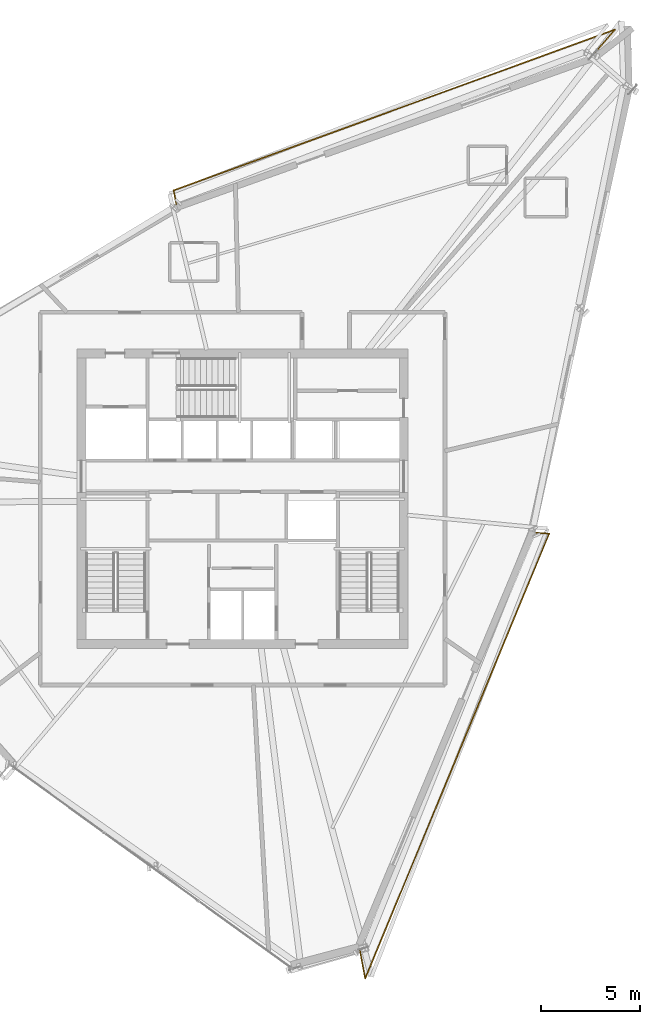
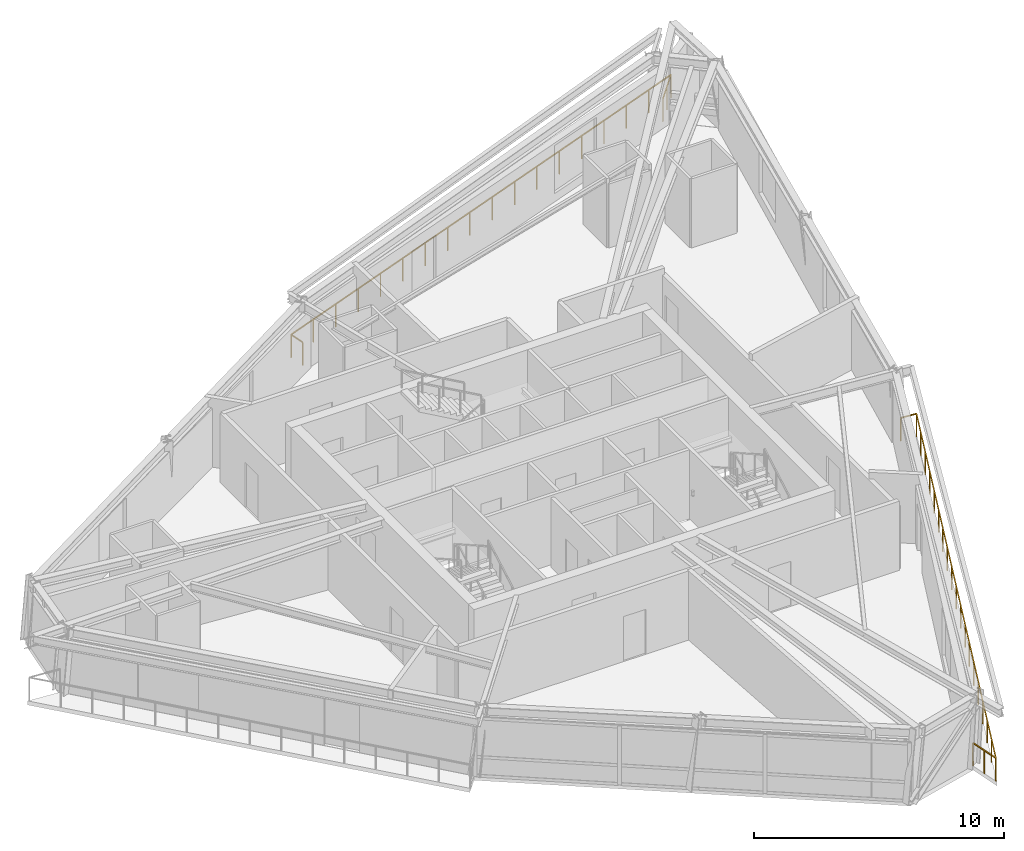
# One storey, part 14 of 14: 2 railings.
"""IFC4 building model written with IfcOpenShell, lengths in metres."""

import ifcopenshell
import ifcopenshell.guid

model = None  # the IFC model being written
_history = None  # IfcOwnerHistory: only IFC2X3 demands one
_inside = {}  # id of a spatial element -> (the spatial element, [elements in it])
_under = {}  # id of a project, library or spatial element -> (it, [spatial elements below it])
_declared = {}  # id of a project -> (the project, [libraries it declares])
_typed = {}  # id of a type object -> (the type object, [elements of that type])
_made_of = {}  # id of a material, layer set ... -> (it, [elements and type objects made of it])


def new_model(schema):
    """Start an empty IFC model of exactly this schema.

    Asked for "IFC4X3", IfcOpenShell would pick the latest addendum, in which some entities
    have other attributes; the version numbers below select the first issue.
    IFC2X3 requires an IfcOwnerHistory on every rooted entity: one is made here for all.
    """
    global model, _history
    if schema == "IFC4X3":
        model = ifcopenshell.file(schema_version=(4, 3, 0, 0))
    else:
        model = ifcopenshell.file(schema=schema)
    _inside.clear()
    _under.clear()
    _declared.clear()
    _typed.clear()
    _made_of.clear()
    _history = None
    if model.schema == "IFC2X3":
        org = make("IfcOrganization", Name="unknown")
        user = make(
            "IfcPersonAndOrganization",
            ThePerson=make("IfcPerson", FamilyName="unknown"),
            TheOrganization=org,
        )
        app = make(
            "IfcApplication",
            ApplicationDeveloper=org,
            Version="unknown",
            ApplicationFullName="unknown",
            ApplicationIdentifier="unknown",
        )
        _history = make(
            "IfcOwnerHistory",
            OwningUser=user,
            OwningApplication=app,
            ChangeAction="ADDED",
            CreationDate=0,
        )
    return model


def make(cls, **values):
    """One entity of the class cls with the attributes given. An attribute that is None is left unset."""
    return model.create_entity(
        cls, **{name: value for name, value in values.items() if value is not None}
    )


def rooted(cls, **values):
    """An entity with a GlobalId (a new one), such as an element, a storey or a relation."""
    return make(cls, GlobalId=ifcopenshell.guid.new(), OwnerHistory=_history, **values)


def si_unit(unit_type, name, prefix=None):
    """IfcSIUnit, for example si_unit("LENGTHUNIT", "METRE", prefix="MILLI")."""
    return make("IfcSIUnit", UnitType=unit_type, Prefix=prefix, Name=name)


def assignment(units):
    """IfcUnitAssignment: the units of a project."""
    return None if units is None else make("IfcUnitAssignment", Units=units)


def point(xyz):
    """IfcCartesianPoint."""
    return None if xyz is None else make("IfcCartesianPoint", Coordinates=xyz)


def direction(xyz):
    """IfcDirection."""
    return None if xyz is None else make("IfcDirection", DirectionRatios=xyz)


def frame(location, z_axis=None, x_axis=None):
    """IfcAxis2Placement3D, a coordinate frame: its origin and axes. An axis left out is left unset."""
    return make(
        "IfcAxis2Placement3D",
        Location=point(location),
        Axis=direction(z_axis),
        RefDirection=direction(x_axis),
    )


def frame_2d(location, x_axis=None):
    """IfcAxis2Placement2D, a coordinate frame in the plane: its origin and x axis."""
    return make(
        "IfcAxis2Placement2D", Location=point(location), RefDirection=direction(x_axis)
    )


def origin():
    """The frame at (0, 0, 0) with its axes left unset."""
    return frame((0.0, 0.0, 0.0))


def origin_2d():
    """The frame at (0, 0) in the plane with its x axis left unset."""
    return frame_2d((0.0, 0.0))


def place(relative_to, where):
    """IfcLocalPlacement: puts the frame where relative to a parent placement (None: the world)."""
    return make(
        "IfcLocalPlacement", PlacementRelTo=relative_to, RelativePlacement=where
    )


def context(
    kind, dimensions, precision=None, world=None, true_north=None, identifier=None
):
    """IfcGeometricRepresentationContext, for example the 3D "Model" context."""
    return make(
        "IfcGeometricRepresentationContext",
        ContextIdentifier=identifier,
        ContextType=kind,
        CoordinateSpaceDimension=dimensions,
        Precision=precision,
        WorldCoordinateSystem=world,
        TrueNorth=true_north,
    )


def subcontext(parent, identifier, kind, view, scale=None):
    """IfcGeometricRepresentationSubContext, for example "Body" below "Model"."""
    return make(
        "IfcGeometricRepresentationSubContext",
        ContextIdentifier=identifier,
        ContextType=kind,
        ParentContext=parent,
        TargetScale=scale,
        TargetView=view,
    )


def project(units=None, contexts=None):
    """IfcProject with its units and contexts."""
    return rooted(
        "IfcProject",
        Name="project",
        RepresentationContexts=contexts,
        UnitsInContext=assignment(units),
    )


def spatial(cls, under=None, at=None, **own):
    """A site, building, storey or space (cls), placed at a placement, below another one or the project."""
    s = rooted(cls, ObjectPlacement=at, **own)
    if under is not None:
        _under.setdefault(under.id(), (under, []))[1].append(s)
    return s


def profile(cls, at=None, kind="AREA", **sizes):
    """A parametric profile (cls). Its sizes go by their IFC names, for example OverallWidth=200.0."""
    return make(cls, ProfileType=kind, Position=at, **sizes)


def rectangle(**sizes):
    """IfcRectangleProfileDef."""
    return profile("IfcRectangleProfileDef", **sizes)


def extrude(swept, where, along, depth):
    """IfcExtrudedAreaSolid: the profile swept, set in the frame where, extruded along a direction by depth."""
    return make(
        "IfcExtrudedAreaSolid",
        SweptArea=swept,
        Position=where,
        ExtrudedDirection=direction(along),
        Depth=depth,
    )


def shape(context_of_items, identifier, shape_type, items):
    """IfcShapeRepresentation: the items that make up one representation, for example the "Body"."""
    return make(
        "IfcShapeRepresentation",
        ContextOfItems=context_of_items,
        RepresentationIdentifier=identifier,
        RepresentationType=shape_type,
        Items=items,
    )


def material(Name=None, Category=None):
    """IfcMaterial."""
    return make("IfcMaterial", Name=Name, Category=Category)


def made_of(thing, what):
    """Note that an element or type object is made of a material, layer set ...; save() writes the relation."""
    if what is not None:
        _made_of.setdefault(what.id(), (what, []))[1].append(thing)
    return thing


def type_object(cls, material=None, **own):
    """A type object (cls), such as IfcWallType, which elements share."""
    return made_of(rooted(cls, **own), material)


def element(
    cls,
    number,
    at=None,
    inside=None,
    cuts=None,
    type_object=None,
    material=None,
    context=None,
    identifier="Body",
    shape_type=None,
    held_by="IfcProductDefinitionShape",
    body=None,
    shapes=None,
    **own,
):
    """One element of the class cls, such as IfcWall. Its Tag is "e" and its number.

    at: its placement. inside: the storey or other place that contains it. cuts: it is an
    opening in that element (IfcRelVoidsElement). A single representation is given by context,
    identifier, shape_type and body (its items); several are given by shapes. held_by: the class
    of the entity that holds the representations. save() writes the other relations.
    """
    e = rooted(cls, Tag="e%d" % number, ObjectPlacement=at, **own)
    if body is not None:
        shapes = [shape(context, identifier, shape_type, body)]
    if shapes is not None:
        e.Representation = make(held_by, Representations=shapes)
    if inside is not None:
        _inside.setdefault(inside.id(), (inside, []))[1].append(e)
    if cuts is not None:
        rooted(
            "IfcRelVoidsElement", RelatingBuildingElement=cuts, RelatedOpeningElement=e
        )
    if type_object is not None:
        _typed.setdefault(type_object.id(), (type_object, []))[1].append(e)
    return made_of(e, material)


def aggregate(whole, parts):
    """IfcRelAggregates: a whole, such as a stair, and the parts it consists of."""
    return rooted("IfcRelAggregates", RelatingObject=whole, RelatedObjects=parts)


def save(model, path):
    """Write the relations noted so far, then the file.

    IfcRelAggregates (storeys below a building ...), IfcRelContainedInSpatialStructure (elements
    in a storey), IfcRelDefinesByType, IfcRelAssociatesMaterial and IfcRelDeclares: one each for
    every whole, place, type object, material and project.
    """
    for whole, parts in _under.values():
        aggregate(whole, parts)
    for where, things in _inside.values():
        rooted(
            "IfcRelContainedInSpatialStructure",
            RelatedElements=things,
            RelatingStructure=where,
        )
    for kind, things in _typed.values():
        rooted("IfcRelDefinesByType", RelatedObjects=things, RelatingType=kind)
    for what, things in _made_of.values():
        rooted("IfcRelAssociatesMaterial", RelatedObjects=things, RelatingMaterial=what)
    for by, libraries in _declared.values():
        rooted("IfcRelDeclares", RelatingContext=by, RelatedDefinitions=libraries)
    model.write(path)


model = new_model("IFC4")

# Units and contexts
model_context = context("Model", 3, precision=1e-05, world=origin(), true_north=direction((0.0, 1.0)))
body_context = subcontext(model_context, "Body", "Model", "MODEL_VIEW")
ifc_project = project(units=[si_unit("LENGTHUNIT", "METRE"), si_unit("AREAUNIT", "SQUARE_METRE"), si_unit("VOLUMEUNIT", "CUBIC_METRE"), si_unit("PLANEANGLEUNIT", "RADIAN"), si_unit("MASSUNIT", "GRAM", prefix="KILO")], contexts=[model_context])

# Site, building, storey
site_placement = place(None, origin())
site = spatial("IfcSite", under=ifc_project, at=site_placement, CompositionType="ELEMENT")
building_placement = place(site_placement, origin())
building = spatial("IfcBuilding", under=site, at=building_placement, Name="Olszyna Solenne Hotel", CompositionType="ELEMENT")
storey_placement = place(building_placement, frame((0.0, 0.0, 234.5)))
storey = spatial("IfcBuildingStorey", under=building, at=storey_placement, Name="L62", CompositionType="ELEMENT", Elevation=234.5)

# Railings
ifc_material = material(Name="Anodised bronze aluminium", Category="aluminium")
railing_type = type_object("IfcRailingType", Name="GR-110", PredefinedType="BALUSTRADE", material=ifc_material)
railing_1_placement = place(storey_placement, frame((55.6669921875, 48.973876953125, 0.0)))
element("IfcRailing", 1, at=railing_1_placement, inside=storey, type_object=railing_type, Name="Loggia balcony balustrade guard GR-L62-LG1", PredefinedType="BALUSTRADE", context=body_context, shape_type="SweptSolid", body=[
    extrude(rectangle(XDim=0.048095703125, YDim=0.048095703125, at=origin_2d()), frame((0.0, 0.0, 1.1259765625), z_axis=(0.655803538847, 0.754931598514, 0.0), x_axis=(-0.754931598514, 0.655803538847, 0.0)), (0.0, 0.0, 1.0), 1.69189453125),
    extrude(rectangle(XDim=0.048095703125, YDim=0.048095703125, at=origin_2d()), frame((1.109619140625, 1.27734375, 1.1259765625), z_axis=(-0.939562357774, -0.342377826173, 0.0), x_axis=(0.342377826173, -0.939562357774, 0.0)), (0.0, 0.0, 1.0), 23.683349609375),
    extrude(rectangle(XDim=0.048095703125, YDim=0.048095703125, at=origin_2d()), frame((-21.142333984375, -6.831298828125, 1.1259765625), z_axis=(0.186574262929, -0.982440860517, 0.0), x_axis=(0.982440860517, 0.186574262929, 0.0)), (0.0, 0.0, 1.0), 0.709228515625),
    extrude(rectangle(XDim=0.0419921875, YDim=0.0419921875, at=origin_2d()), origin(), (0.0, 0.0, 1.0), 1.101806640625),
    extrude(rectangle(XDim=0.0419921875, YDim=0.0419921875, at=origin_2d()), frame((0.5546875, 0.638671875, 0.0)), (0.0, 0.0, 1.0), 1.101806640625),
    extrude(rectangle(XDim=0.0419921875, YDim=0.0419921875, at=origin_2d()), frame((1.109619140625, 1.27734375, 0.0)), (0.0, 0.0, 1.0), 1.101806640625),
    extrude(rectangle(XDim=0.0419921875, YDim=0.0419921875, at=origin_2d()), frame((-0.19921875, 0.80029296875, 0.0)), (0.0, 0.0, 1.0), 1.101806640625),
    extrude(rectangle(XDim=0.0419921875, YDim=0.0419921875, at=origin_2d()), frame((-1.50830078125, 0.323486328125, 0.0)), (0.0, 0.0, 1.0), 1.101806640625),
    extrude(rectangle(XDim=0.0419921875, YDim=0.0419921875, at=origin_2d()), frame((-2.817138671875, -0.153564453125, 0.0)), (0.0, 0.0, 1.0), 1.101806640625),
    extrude(rectangle(XDim=0.0419921875, YDim=0.0419921875, at=origin_2d()), frame((-4.126220703125, -0.630615234375, 0.0)), (0.0, 0.0, 1.0), 1.101806640625),
    extrude(rectangle(XDim=0.0419921875, YDim=0.0419921875, at=origin_2d()), frame((-5.43505859375, -1.107666015625, 0.0)), (0.0, 0.0, 1.0), 1.101806640625),
    extrude(rectangle(XDim=0.0419921875, YDim=0.0419921875, at=origin_2d()), frame((-6.743896484375, -1.58447265625, 0.0)), (0.0, 0.0, 1.0), 1.101806640625),
    extrude(rectangle(XDim=0.0419921875, YDim=0.0419921875, at=origin_2d()), frame((-8.052978515625, -2.0615234375, 0.0)), (0.0, 0.0, 1.0), 1.101806640625),
    extrude(rectangle(XDim=0.0419921875, YDim=0.0419921875, at=origin_2d()), frame((-9.36181640625, -2.53857421875, 0.0)), (0.0, 0.0, 1.0), 1.101806640625),
    extrude(rectangle(XDim=0.0419921875, YDim=0.0419921875, at=origin_2d()), frame((-10.6708984375, -3.015380859375, 0.0)), (0.0, 0.0, 1.0), 1.101806640625),
    extrude(rectangle(XDim=0.0419921875, YDim=0.0419921875, at=origin_2d()), frame((-11.979736328125, -3.492431640625, 0.0)), (0.0, 0.0, 1.0), 1.101806640625),
    extrude(rectangle(XDim=0.0419921875, YDim=0.0419921875, at=origin_2d()), frame((-13.288818359375, -3.969482421875, 0.0)), (0.0, 0.0, 1.0), 1.101806640625),
    extrude(rectangle(XDim=0.0419921875, YDim=0.0419921875, at=origin_2d()), frame((-14.59765625, -4.4462890625, 0.0)), (0.0, 0.0, 1.0), 1.101806640625),
    extrude(rectangle(XDim=0.0419921875, YDim=0.0419921875, at=origin_2d()), frame((-15.906494140625, -4.92333984375, 0.0)), (0.0, 0.0, 1.0), 1.101806640625),
    extrude(rectangle(XDim=0.0419921875, YDim=0.0419921875, at=origin_2d()), frame((-17.215576171875, -5.400390625, 0.0)), (0.0, 0.0, 1.0), 1.101806640625),
    extrude(rectangle(XDim=0.0419921875, YDim=0.0419921875, at=origin_2d()), frame((-18.5244140625, -5.87744140625, 0.0)), (0.0, 0.0, 1.0), 1.101806640625),
    extrude(rectangle(XDim=0.0419921875, YDim=0.0419921875, at=origin_2d()), frame((-19.83349609375, -6.354248046875, 0.0)), (0.0, 0.0, 1.0), 1.101806640625),
    extrude(rectangle(XDim=0.0419921875, YDim=0.0419921875, at=origin_2d()), frame((-21.142333984375, -6.831298828125, 0.0)), (0.0, 0.0, 1.0), 1.101806640625),
    extrude(rectangle(XDim=0.0419921875, YDim=0.0419921875, at=origin_2d()), frame((-21.010009765625, -7.528076171875, 0.0)), (0.0, 0.0, 1.0), 1.101806640625),
])
railing_2_placement = place(storey_placement, frame((43.91748046875, 3.80419921875, 0.0)))
element("IfcRailing", 2, at=railing_2_placement, inside=storey, type_object=railing_type, Name="Loggia balcony balustrade guard GR-L62-LG3", PredefinedType="BALUSTRADE", context=body_context, shape_type="SweptSolid", body=[
    extrude(rectangle(XDim=0.048095703125, YDim=0.048095703125, at=origin_2d()), frame((0.0, 0.0, 1.1259765625), z_axis=(0.186740380037, -0.982409298848, 0.0), x_axis=(0.982409298848, 0.186740380037, 0.0)), (0.0, 0.0, 1.0), 1.41845703125),
    extrude(rectangle(XDim=0.048095703125, YDim=0.048095703125, at=origin_2d()), frame((0.264892578125, -1.3935546875, 1.1259765625), z_axis=(0.382057610493, 0.92413850816, 0.0), x_axis=(-0.92413850816, 0.382057610493, 0.0)), (0.0, 0.0, 1.0), 24.26416015625),
    extrude(rectangle(XDim=0.048095703125, YDim=0.048095703125, at=origin_2d()), frame((9.53515625, 21.02978515625, 1.1259765625), z_axis=(-0.996444944431, 0.084246499742, 0.0), x_axis=(-0.084246499742, -0.996444944431, 0.0)), (0.0, 0.0, 1.0), 0.689697265625),
    extrude(rectangle(XDim=0.0419921875, YDim=0.0419921875, at=origin_2d()), origin(), (0.0, 0.0, 1.0), 1.101806640625),
    extrude(rectangle(XDim=0.0419921875, YDim=0.0419921875, at=origin_2d()), frame((0.13232421875, -0.69677734375, 0.0)), (0.0, 0.0, 1.0), 1.101806640625),
    extrude(rectangle(XDim=0.0419921875, YDim=0.0419921875, at=origin_2d()), frame((0.264892578125, -1.3935546875, 0.0)), (0.0, 0.0, 1.0), 1.101806640625),
    extrude(rectangle(XDim=0.0419921875, YDim=0.0419921875, at=origin_2d()), frame((0.77978515625, -0.147705078125, 0.0)), (0.0, 0.0, 1.0), 1.101806640625),
    extrude(rectangle(XDim=0.0419921875, YDim=0.0419921875, at=origin_2d()), frame((1.294921875, 1.097900390625, 0.0)), (0.0, 0.0, 1.0), 1.101806640625),
    extrude(rectangle(XDim=0.0419921875, YDim=0.0419921875, at=origin_2d()), frame((1.81005859375, 2.34375, 0.0)), (0.0, 0.0, 1.0), 1.101806640625),
    extrude(rectangle(XDim=0.0419921875, YDim=0.0419921875, at=origin_2d()), frame((2.324951171875, 3.58935546875, 0.0)), (0.0, 0.0, 1.0), 1.101806640625),
    extrude(rectangle(XDim=0.0419921875, YDim=0.0419921875, at=origin_2d()), frame((2.83984375, 4.835205078125, 0.0)), (0.0, 0.0, 1.0), 1.101806640625),
    extrude(rectangle(XDim=0.0419921875, YDim=0.0419921875, at=origin_2d()), frame((3.35498046875, 6.080810546875, 0.0)), (0.0, 0.0, 1.0), 1.101806640625),
    extrude(rectangle(XDim=0.0419921875, YDim=0.0419921875, at=origin_2d()), frame((3.8701171875, 7.32666015625, 0.0)), (0.0, 0.0, 1.0), 1.101806640625),
    extrude(rectangle(XDim=0.0419921875, YDim=0.0419921875, at=origin_2d()), frame((4.385009765625, 8.572265625, 0.0)), (0.0, 0.0, 1.0), 1.101806640625),
    extrude(rectangle(XDim=0.0419921875, YDim=0.0419921875, at=origin_2d()), frame((4.89990234375, 9.818115234375, 0.0)), (0.0, 0.0, 1.0), 1.101806640625),
    extrude(rectangle(XDim=0.0419921875, YDim=0.0419921875, at=origin_2d()), frame((5.4150390625, 11.06396484375, 0.0)), (0.0, 0.0, 1.0), 1.101806640625),
    extrude(rectangle(XDim=0.0419921875, YDim=0.0419921875, at=origin_2d()), frame((5.93017578125, 12.3095703125, 0.0)), (0.0, 0.0, 1.0), 1.101806640625),
    extrude(rectangle(XDim=0.0419921875, YDim=0.0419921875, at=origin_2d()), frame((6.445068359375, 13.555419921875, 0.0)), (0.0, 0.0, 1.0), 1.101806640625),
    extrude(rectangle(XDim=0.0419921875, YDim=0.0419921875, at=origin_2d()), frame((6.9599609375, 14.801025390625, 0.0)), (0.0, 0.0, 1.0), 1.101806640625),
    extrude(rectangle(XDim=0.0419921875, YDim=0.0419921875, at=origin_2d()), frame((7.47509765625, 16.046875, 0.0)), (0.0, 0.0, 1.0), 1.101806640625),
    extrude(rectangle(XDim=0.0419921875, YDim=0.0419921875, at=origin_2d()), frame((7.990234375, 17.29248046875, 0.0)), (0.0, 0.0, 1.0), 1.101806640625),
    extrude(rectangle(XDim=0.0419921875, YDim=0.0419921875, at=origin_2d()), frame((8.505126953125, 18.538330078125, 0.0)), (0.0, 0.0, 1.0), 1.101806640625),
    extrude(rectangle(XDim=0.0419921875, YDim=0.0419921875, at=origin_2d()), frame((9.02001953125, 19.783935546875, 0.0)), (0.0, 0.0, 1.0), 1.101806640625),
    extrude(rectangle(XDim=0.0419921875, YDim=0.0419921875, at=origin_2d()), frame((9.53515625, 21.02978515625, 0.0)), (0.0, 0.0, 1.0), 1.101806640625),
    extrude(rectangle(XDim=0.0419921875, YDim=0.0419921875, at=origin_2d()), frame((8.847900390625, 21.087890625, 0.0)), (0.0, 0.0, 1.0), 1.101806640625),
])

save(model, "model.ifc")
